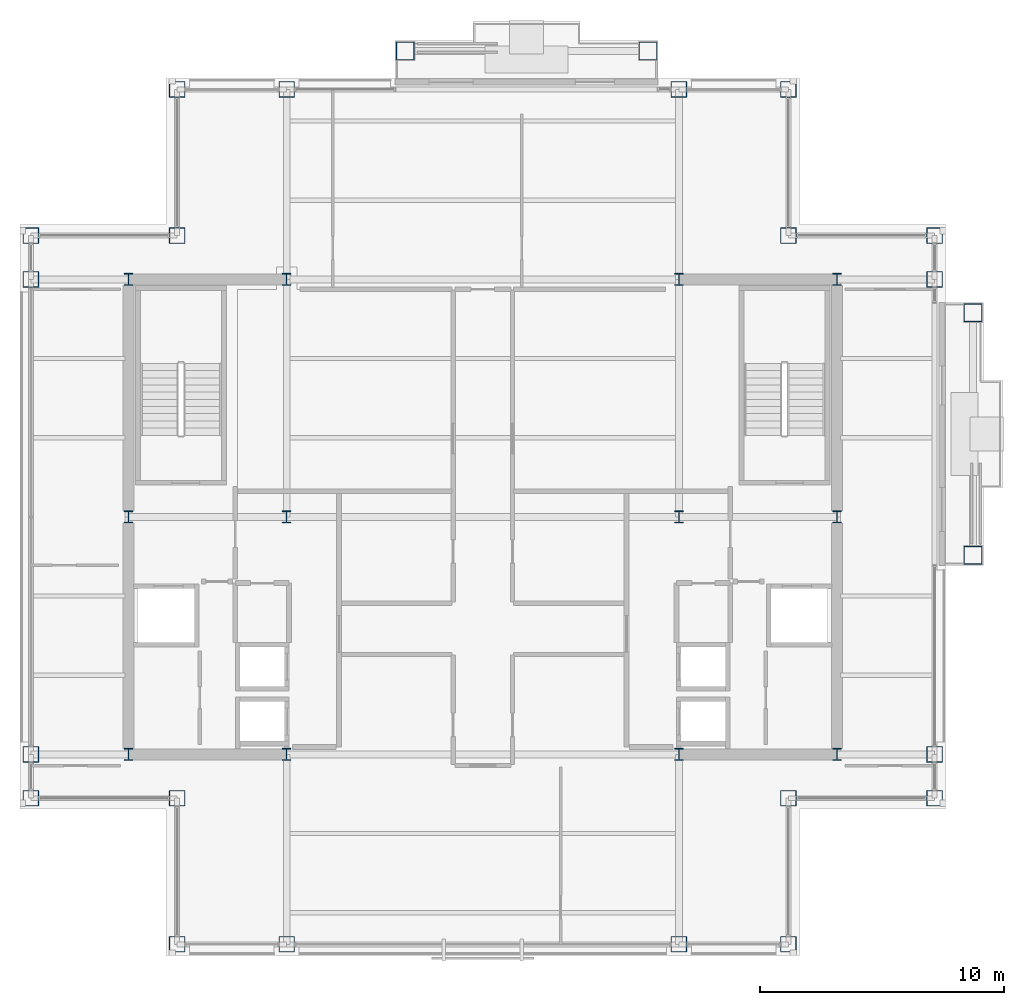
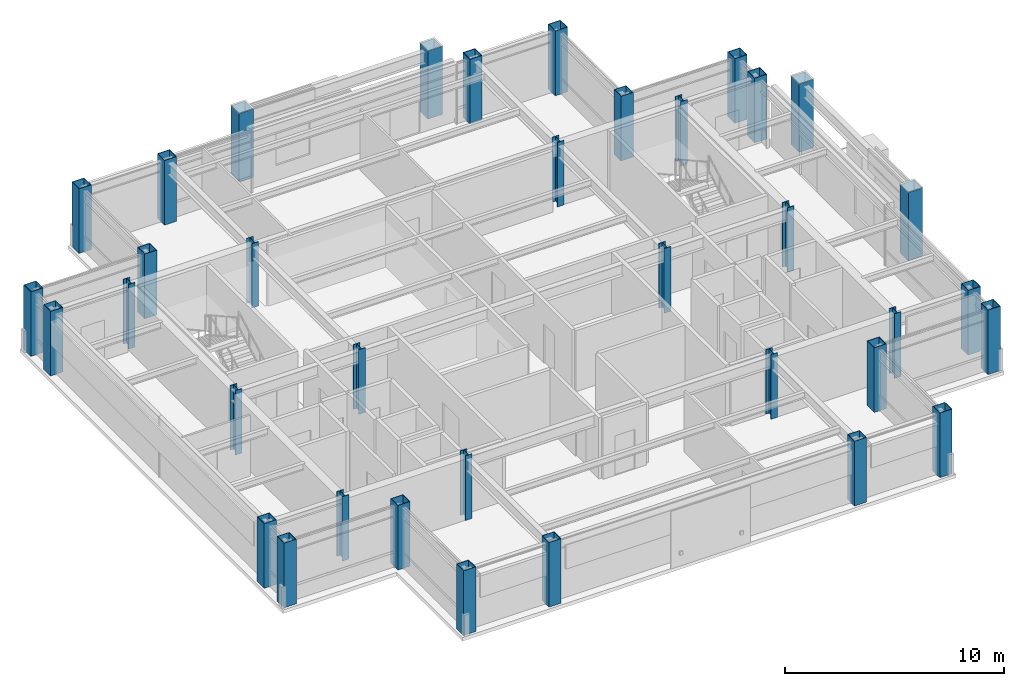
# One storey, part 1 of 23: 36 columns.
"""IFC4 building model written with IfcOpenShell, lengths in metres."""

from ifc_helpers import new_model, si_unit, direction, frame, origin, origin_2d, place, context, subcontext, project, spatial, hollow_rectangle, i_section, extrude, material, material_profile, profile_set, type_object, element, save


model = new_model("IFC4")

# Units and contexts
model_context = context("Model", 3, precision=1e-05, world=origin(), true_north=direction((0.0, 1.0)))
body_context = subcontext(model_context, "Body", "Model", "MODEL_VIEW")
ifc_project = project(units=[si_unit("LENGTHUNIT", "METRE"), si_unit("AREAUNIT", "SQUARE_METRE"), si_unit("VOLUMEUNIT", "CUBIC_METRE"), si_unit("PLANEANGLEUNIT", "RADIAN"), si_unit("MASSUNIT", "GRAM", prefix="KILO")], contexts=[model_context])

# Site, building, storey
site_placement = place(None, origin())
site = spatial("IfcSite", under=ifc_project, at=site_placement, CompositionType="ELEMENT")
building_placement = place(site_placement, origin())
building = spatial("IfcBuilding", under=site, at=building_placement, Name="Brelmoor Portico Tower", CompositionType="ELEMENT")
storey_placement = place(building_placement, frame((0.0, 0.0, 222.0)))
storey = spatial("IfcBuildingStorey", under=building, at=storey_placement, Name="L58", CompositionType="ELEMENT", Elevation=222.0)

# Columns
ifc_material = material(Name="Steel Q355B", Category="steel")
ifc_material_profile_1 = material_profile(ifc_material, hollow_rectangle(XDim=0.64990234375, YDim=0.64990234375, WallThickness=0.028076171875, at=origin_2d()), Name="BOX 650x650x28")
ifc_profile_set_1 = profile_set([ifc_material_profile_1], Name="Steel Q355B")
column_type_1 = type_object("IfcColumnType", Name="COL-MEGA-650", PredefinedType="COLUMN", material=ifc_profile_set_1)
for number, where, z_axis, x_axis, name in (
    (1, (-12.550048828125, -17.550048828125, 0.0), (0.0, 0.0, 1.0), (1.0, 0.0, 0.0), "L58 Perimeter Mega-Column PS01"),
    (2, (-8.050048828125, -17.550048828125, 0.0), (0.0, 0.0, 1.0), (1.0, 0.0, 0.0), "L58 Perimeter Mega-Column PS02"),
    (3, (8.050048828125, -17.550048828125, 0.0), (0.0, 0.0, 1.0), (1.0, 0.0, 0.0), "L58 Perimeter Mega-Column PS03"),
    (4, (12.550048828125, -17.550048828125, 0.0), (0.0, 0.0, 1.0), (1.0, 0.0, 0.0), "L58 Perimeter Mega-Column PS04"),
    (5, (-12.550048828125, 17.550048828125, 0.0), (0.0, 0.0, 1.0), (1.0, 0.0, 0.0), "L58 Perimeter Mega-Column PN01"),
    (6, (-8.050048828125, 17.550048828125, 0.0), (0.0, 0.0, 1.0), (1.0, 0.0, 0.0), "L58 Perimeter Mega-Column PN02"),
    (7, (8.050048828125, 17.550048828125, 0.0), (0.0, 0.0, 1.0), (1.0, 0.0, 0.0), "L58 Perimeter Mega-Column PN03"),
    (8, (12.550048828125, 17.550048828125, 0.0), (0.0, 0.0, 1.0), (1.0, 0.0, 0.0), "L58 Perimeter Mega-Column PN04"),
    (9, (-18.550048828125, -11.550048828125, 0.0), (0.0, 0.0, 1.0), (0.0, 1.0, 0.0), "L58 Perimeter Mega-Column PW01"),
    (10, (-18.550048828125, -9.75, 0.0), (0.0, 0.0, 1.0), (0.0, 1.0, 0.0), "L58 Perimeter Mega-Column PW02"),
    (11, (-18.550048828125, 9.75, 0.0), (0.0, 0.0, 1.0), (0.0, 1.0, 0.0), "L58 Perimeter Mega-Column PW03"),
    (12, (-18.550048828125, 11.550048828125, 0.0), (0.0, 0.0, 1.0), (0.0, 1.0, 0.0), "L58 Perimeter Mega-Column PW04"),
    (13, (18.550048828125, -11.550048828125, 0.0), (0.0, 0.0, 1.0), (0.0, 1.0, 0.0), "L58 Perimeter Mega-Column PE01"),
    (14, (18.550048828125, -9.75, 0.0), (0.0, 0.0, 1.0), (0.0, 1.0, 0.0), "L58 Perimeter Mega-Column PE02"),
    (15, (18.550048828125, 9.75, 0.0), (0.0, 0.0, 1.0), (0.0, 1.0, 0.0), "L58 Perimeter Mega-Column PE03"),
    (16, (18.550048828125, 11.550048828125, 0.0), (0.0, 0.0, 1.0), (0.0, 1.0, 0.0), "L58 Perimeter Mega-Column PE04"),
    (17, (-12.550048828125, 11.550048828125, 0.0), (0.0, 0.0, 1.0), (1.0, 0.0, 0.0), "L58 Perimeter Mega-Column PC-NW"),
    (18, (12.550048828125, 11.550048828125, 0.0), (0.0, 0.0, 1.0), (1.0, 0.0, 0.0), "L58 Perimeter Mega-Column PC-NE"),
    (19, (12.550048828125, -11.550048828125, 0.0), (0.0, 0.0, 1.0), (1.0, 0.0, 0.0), "L58 Perimeter Mega-Column PC-SE"),
    (20, (-12.550048828125, -11.550048828125, 0.0), (0.0, 0.0, 1.0), (1.0, 0.0, 0.0), "L58 Perimeter Mega-Column PC-SW"),
):
    element("IfcColumn", number, at=place(storey_placement, frame(where, z_axis=z_axis, x_axis=x_axis)), inside=storey, type_object=column_type_1, Name=name, PredefinedType="COLUMN", context=body_context, shape_type="SweptSolid", body=[
        extrude(hollow_rectangle(XDim=0.64990234375, YDim=0.64990234375, WallThickness=0.028076171875, at=origin_2d()), origin(), (0.0, 0.0, 1.0), 3.60009765625),
    ])
ifc_material_profile_2 = material_profile(ifc_material, hollow_rectangle(XDim=0.75, YDim=0.75, WallThickness=0.031982421875, at=origin_2d()), Name="BOX 750x750x32")
ifc_profile_set_2 = profile_set([ifc_material_profile_2], Name="Steel Q355B")
column_type_2 = type_object("IfcColumnType", Name="COL-MEGA-750", PredefinedType="COLUMN", material=ifc_profile_set_2)
for number, where, z_axis, x_axis, name in (
    (21, (-3.179931640625, 19.1298828125, -0.199951171875), (0.0, 0.0, 1.0), (1.0, 0.0, 0.0), "L58 Proud Picture-Frame Pier PFJ-N1"),
    (22, (6.780029296875, 19.1298828125, -0.199951171875), (0.0, 0.0, 1.0), (1.0, 0.0, 0.0), "L58 Proud Picture-Frame Pier PFJ-N2"),
    (23, (20.1298828125, -1.580078125, -0.199951171875), (0.0, 0.0, 1.0), (0.0, 1.0, 0.0), "L58 Proud Picture-Frame Pier PFJ-E1"),
    (24, (20.1298828125, 8.3798828125, -0.199951171875), (0.0, 0.0, 1.0), (0.0, 1.0, 0.0), "L58 Proud Picture-Frame Pier PFJ-E2"),
):
    element("IfcColumn", number, at=place(storey_placement, frame(where, z_axis=z_axis, x_axis=x_axis)), inside=storey, type_object=column_type_2, Name=name, PredefinedType="COLUMN", context=body_context, shape_type="SweptSolid", body=[
        extrude(hollow_rectangle(XDim=0.75, YDim=0.75, WallThickness=0.031982421875, at=origin_2d()), origin(), (0.0, 0.0, 1.0), 3.800048828125),
    ])
ifc_material_profile_3 = material_profile(ifc_material, i_section(OverallWidth=0.35009765625, OverallDepth=0.5, WebThickness=0.02001953125, FlangeThickness=0.031982421875, at=origin_2d()), Name="HW 500x350x20x32")
ifc_profile_set_3 = profile_set([ifc_material_profile_3], Name="Steel Q355B")
column_type_3 = type_object("IfcColumnType", Name="COL-SPINE-500", PredefinedType="COLUMN", material=ifc_profile_set_3)
for number, where, z_axis, x_axis, name in (
    (25, (-14.550048828125, -9.75, 0.0), (0.0, 0.0, 1.0), (1.0, 0.0, 0.0), "L58 Core Spine Column CW-SW"),
    (26, (-14.550048828125, 0.0, 0.0), (0.0, 0.0, 1.0), (1.0, 0.0, 0.0), "L58 Core Spine Column CW-MW"),
    (27, (-14.550048828125, 9.75, 0.0), (0.0, 0.0, 1.0), (1.0, 0.0, 0.0), "L58 Core Spine Column CW-NW"),
    (28, (-8.050048828125, -9.75, 0.0), (0.0, 0.0, 1.0), (1.0, 0.0, 0.0), "L58 Core Spine Column CW-SE"),
    (29, (-8.050048828125, 0.0, 0.0), (0.0, 0.0, 1.0), (1.0, 0.0, 0.0), "L58 Core Spine Column CW-ME"),
    (30, (-8.050048828125, 9.75, 0.0), (0.0, 0.0, 1.0), (1.0, 0.0, 0.0), "L58 Core Spine Column CW-NE"),
    (31, (8.050048828125, -9.75, 0.0), (0.0, 0.0, 1.0), (1.0, 0.0, 0.0), "L58 Core Spine Column CE-SW"),
    (32, (8.050048828125, 0.0, 0.0), (0.0, 0.0, 1.0), (1.0, 0.0, 0.0), "L58 Core Spine Column CE-MW"),
    (33, (8.050048828125, 9.75, 0.0), (0.0, 0.0, 1.0), (1.0, 0.0, 0.0), "L58 Core Spine Column CE-NW"),
    (34, (14.550048828125, -9.75, 0.0), (0.0, 0.0, 1.0), (1.0, 0.0, 0.0), "L58 Core Spine Column CE-SE"),
    (35, (14.550048828125, 0.0, 0.0), (0.0, 0.0, 1.0), (1.0, 0.0, 0.0), "L58 Core Spine Column CE-ME"),
    (36, (14.550048828125, 9.75, 0.0), (0.0, 0.0, 1.0), (1.0, 0.0, 0.0), "L58 Core Spine Column CE-NE"),
):
    element("IfcColumn", number, at=place(storey_placement, frame(where, z_axis=z_axis, x_axis=x_axis)), inside=storey, type_object=column_type_3, Name=name, PredefinedType="COLUMN", context=body_context, shape_type="SweptSolid", body=[
        extrude(i_section(OverallWidth=0.35009765625, OverallDepth=0.5, WebThickness=0.02001953125, FlangeThickness=0.031982421875, at=origin_2d()), origin(), (0.0, 0.0, 1.0), 3.60009765625),
    ])

save(model, "model.ifc")
